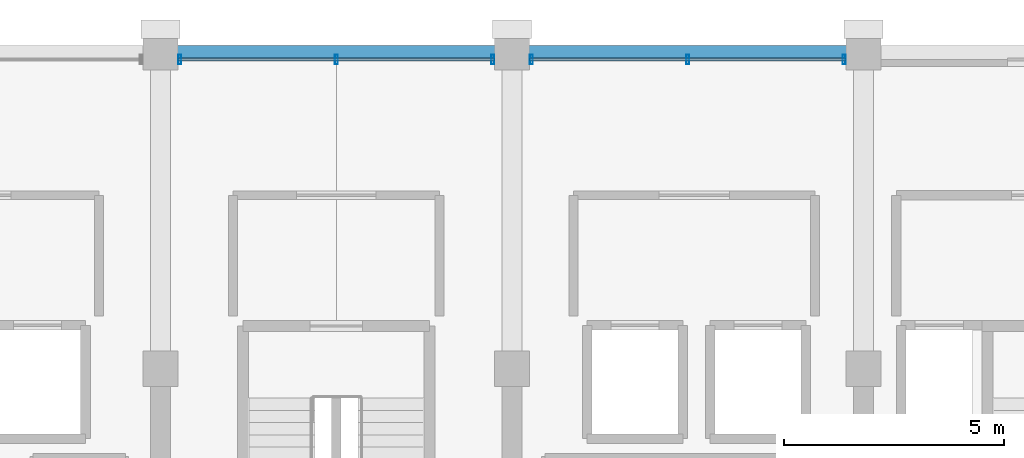
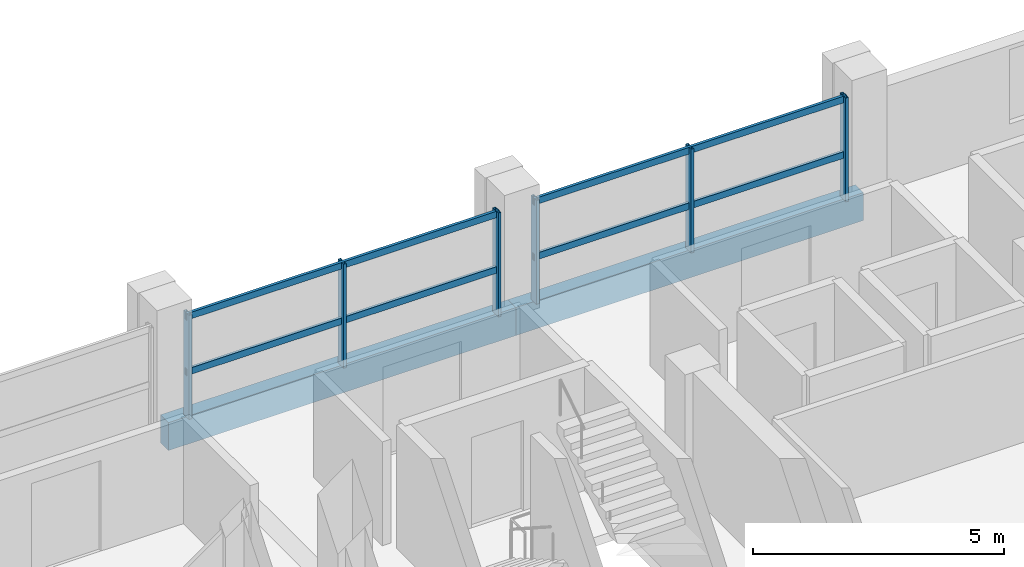
# One storey, part 12 of 21: 10 members, 2 beams, 2 elements without a shape of their own.
"""IFC4 building model written with IfcOpenShell, lengths in metres."""

import ifcopenshell
import ifcopenshell.guid

model = None  # the IFC model being written
_history = None  # IfcOwnerHistory: only IFC2X3 demands one
_inside = {}  # id of a spatial element -> (the spatial element, [elements in it])
_under = {}  # id of a project, library or spatial element -> (it, [spatial elements below it])
_declared = {}  # id of a project -> (the project, [libraries it declares])
_typed = {}  # id of a type object -> (the type object, [elements of that type])
_made_of = {}  # id of a material, layer set ... -> (it, [elements and type objects made of it])


def new_model(schema):
    """Start an empty IFC model of exactly this schema.

    Asked for "IFC4X3", IfcOpenShell would pick the latest addendum, in which some entities
    have other attributes; the version numbers below select the first issue.
    IFC2X3 requires an IfcOwnerHistory on every rooted entity: one is made here for all.
    """
    global model, _history
    if schema == "IFC4X3":
        model = ifcopenshell.file(schema_version=(4, 3, 0, 0))
    else:
        model = ifcopenshell.file(schema=schema)
    _inside.clear()
    _under.clear()
    _declared.clear()
    _typed.clear()
    _made_of.clear()
    _history = None
    if model.schema == "IFC2X3":
        org = make("IfcOrganization", Name="unknown")
        user = make(
            "IfcPersonAndOrganization",
            ThePerson=make("IfcPerson", FamilyName="unknown"),
            TheOrganization=org,
        )
        app = make(
            "IfcApplication",
            ApplicationDeveloper=org,
            Version="unknown",
            ApplicationFullName="unknown",
            ApplicationIdentifier="unknown",
        )
        _history = make(
            "IfcOwnerHistory",
            OwningUser=user,
            OwningApplication=app,
            ChangeAction="ADDED",
            CreationDate=0,
        )
    return model


def make(cls, **values):
    """One entity of the class cls with the attributes given. An attribute that is None is left unset."""
    return model.create_entity(
        cls, **{name: value for name, value in values.items() if value is not None}
    )


def rooted(cls, **values):
    """An entity with a GlobalId (a new one), such as an element, a storey or a relation."""
    return make(cls, GlobalId=ifcopenshell.guid.new(), OwnerHistory=_history, **values)


def si_unit(unit_type, name, prefix=None):
    """IfcSIUnit, for example si_unit("LENGTHUNIT", "METRE", prefix="MILLI")."""
    return make("IfcSIUnit", UnitType=unit_type, Prefix=prefix, Name=name)


def assignment(units):
    """IfcUnitAssignment: the units of a project."""
    return None if units is None else make("IfcUnitAssignment", Units=units)


def point(xyz):
    """IfcCartesianPoint."""
    return None if xyz is None else make("IfcCartesianPoint", Coordinates=xyz)


def direction(xyz):
    """IfcDirection."""
    return None if xyz is None else make("IfcDirection", DirectionRatios=xyz)


def frame(location, z_axis=None, x_axis=None):
    """IfcAxis2Placement3D, a coordinate frame: its origin and axes. An axis left out is left unset."""
    return make(
        "IfcAxis2Placement3D",
        Location=point(location),
        Axis=direction(z_axis),
        RefDirection=direction(x_axis),
    )


def frame_2d(location, x_axis=None):
    """IfcAxis2Placement2D, a coordinate frame in the plane: its origin and x axis."""
    return make(
        "IfcAxis2Placement2D", Location=point(location), RefDirection=direction(x_axis)
    )


def origin():
    """The frame at (0, 0, 0) with its axes left unset."""
    return frame((0.0, 0.0, 0.0))


def origin_2d():
    """The frame at (0, 0) in the plane with its x axis left unset."""
    return frame_2d((0.0, 0.0))


def place(relative_to, where):
    """IfcLocalPlacement: puts the frame where relative to a parent placement (None: the world)."""
    return make(
        "IfcLocalPlacement", PlacementRelTo=relative_to, RelativePlacement=where
    )


def context(
    kind, dimensions, precision=None, world=None, true_north=None, identifier=None
):
    """IfcGeometricRepresentationContext, for example the 3D "Model" context."""
    return make(
        "IfcGeometricRepresentationContext",
        ContextIdentifier=identifier,
        ContextType=kind,
        CoordinateSpaceDimension=dimensions,
        Precision=precision,
        WorldCoordinateSystem=world,
        TrueNorth=true_north,
    )


def subcontext(parent, identifier, kind, view, scale=None):
    """IfcGeometricRepresentationSubContext, for example "Body" below "Model"."""
    return make(
        "IfcGeometricRepresentationSubContext",
        ContextIdentifier=identifier,
        ContextType=kind,
        ParentContext=parent,
        TargetScale=scale,
        TargetView=view,
    )


def project(units=None, contexts=None):
    """IfcProject with its units and contexts."""
    return rooted(
        "IfcProject",
        Name="project",
        RepresentationContexts=contexts,
        UnitsInContext=assignment(units),
    )


def spatial(cls, under=None, at=None, **own):
    """A site, building, storey or space (cls), placed at a placement, below another one or the project."""
    s = rooted(cls, ObjectPlacement=at, **own)
    if under is not None:
        _under.setdefault(under.id(), (under, []))[1].append(s)
    return s


def profile(cls, at=None, kind="AREA", **sizes):
    """A parametric profile (cls). Its sizes go by their IFC names, for example OverallWidth=200.0."""
    return make(cls, ProfileType=kind, Position=at, **sizes)


def rectangle(**sizes):
    """IfcRectangleProfileDef."""
    return profile("IfcRectangleProfileDef", **sizes)


def hollow_rectangle(**sizes):
    """IfcRectangleHollowProfileDef."""
    return profile("IfcRectangleHollowProfileDef", **sizes)


def extrude(swept, where, along, depth):
    """IfcExtrudedAreaSolid: the profile swept, set in the frame where, extruded along a direction by depth."""
    return make(
        "IfcExtrudedAreaSolid",
        SweptArea=swept,
        Position=where,
        ExtrudedDirection=direction(along),
        Depth=depth,
    )


def shape(context_of_items, identifier, shape_type, items):
    """IfcShapeRepresentation: the items that make up one representation, for example the "Body"."""
    return make(
        "IfcShapeRepresentation",
        ContextOfItems=context_of_items,
        RepresentationIdentifier=identifier,
        RepresentationType=shape_type,
        Items=items,
    )


def material(Name=None, Category=None):
    """IfcMaterial."""
    return make("IfcMaterial", Name=Name, Category=Category)


def material_profile(
    of_material, cross_section, Name=None, Category=None, Priority=None
):
    """IfcMaterialProfile: a cross section and its material."""
    return make(
        "IfcMaterialProfile",
        Name=Name,
        Material=of_material,
        Profile=cross_section,
        Priority=Priority,
        Category=Category,
    )


def profile_set(profiles, Name=None, composite=None):
    """IfcMaterialProfileSet."""
    return make(
        "IfcMaterialProfileSet",
        Name=Name,
        MaterialProfiles=profiles,
        CompositeProfile=composite,
    )


def made_of(thing, what):
    """Note that an element or type object is made of a material, layer set ...; save() writes the relation."""
    if what is not None:
        _made_of.setdefault(what.id(), (what, []))[1].append(thing)
    return thing


def type_object(cls, material=None, **own):
    """A type object (cls), such as IfcWallType, which elements share."""
    return made_of(rooted(cls, **own), material)


def element(
    cls,
    number,
    at=None,
    inside=None,
    cuts=None,
    type_object=None,
    material=None,
    context=None,
    identifier="Body",
    shape_type=None,
    held_by="IfcProductDefinitionShape",
    body=None,
    shapes=None,
    **own,
):
    """One element of the class cls, such as IfcWall. Its Tag is "e" and its number.

    at: its placement. inside: the storey or other place that contains it. cuts: it is an
    opening in that element (IfcRelVoidsElement). A single representation is given by context,
    identifier, shape_type and body (its items); several are given by shapes. held_by: the class
    of the entity that holds the representations. save() writes the other relations.
    """
    e = rooted(cls, Tag="e%d" % number, ObjectPlacement=at, **own)
    if body is not None:
        shapes = [shape(context, identifier, shape_type, body)]
    if shapes is not None:
        e.Representation = make(held_by, Representations=shapes)
    if inside is not None:
        _inside.setdefault(inside.id(), (inside, []))[1].append(e)
    if cuts is not None:
        rooted(
            "IfcRelVoidsElement", RelatingBuildingElement=cuts, RelatedOpeningElement=e
        )
    if type_object is not None:
        _typed.setdefault(type_object.id(), (type_object, []))[1].append(e)
    return made_of(e, material)


def aggregate(whole, parts):
    """IfcRelAggregates: a whole, such as a stair, and the parts it consists of."""
    return rooted("IfcRelAggregates", RelatingObject=whole, RelatedObjects=parts)


def save(model, path):
    """Write the relations noted so far, then the file.

    IfcRelAggregates (storeys below a building ...), IfcRelContainedInSpatialStructure (elements
    in a storey), IfcRelDefinesByType, IfcRelAssociatesMaterial and IfcRelDeclares: one each for
    every whole, place, type object, material and project.
    """
    for whole, parts in _under.values():
        aggregate(whole, parts)
    for where, things in _inside.values():
        rooted(
            "IfcRelContainedInSpatialStructure",
            RelatedElements=things,
            RelatingStructure=where,
        )
    for kind, things in _typed.values():
        rooted("IfcRelDefinesByType", RelatedObjects=things, RelatingType=kind)
    for what, things in _made_of.values():
        rooted("IfcRelAssociatesMaterial", RelatedObjects=things, RelatingMaterial=what)
    for by, libraries in _declared.values():
        rooted("IfcRelDeclares", RelatingContext=by, RelatedDefinitions=libraries)
    model.write(path)


model = new_model("IFC4")

# Units and contexts
model_context = context("Model", 3, precision=1e-05, world=origin(), true_north=direction((0.0, 1.0)))
body_context = subcontext(model_context, "Body", "Model", "MODEL_VIEW")
ifc_project = project(units=[si_unit("LENGTHUNIT", "METRE"), si_unit("AREAUNIT", "SQUARE_METRE"), si_unit("VOLUMEUNIT", "CUBIC_METRE"), si_unit("PLANEANGLEUNIT", "RADIAN"), si_unit("MASSUNIT", "GRAM", prefix="KILO")], contexts=[model_context])

# Site, building, storey
site_placement = place(None, origin())
site = spatial("IfcSite", under=ifc_project, at=site_placement, CompositionType="ELEMENT")
building_placement = place(site_placement, origin())
building = spatial("IfcBuilding", under=site, at=building_placement, Name="Akrevak Sports Hall", CompositionType="ELEMENT")
storey_placement = place(building_placement, frame((0.0, 0.0, 37.300048828125)))
storey = spatial("IfcBuildingStorey", under=building, at=storey_placement, Name="L08", CompositionType="ELEMENT", Elevation=37.300048828125)

# Curtain wall, members
ifc_material_1 = material(Name="Anodized Bronze Aluminium & Low-E Glass", Category="aluminium")
curtain_wall_type = type_object("IfcCurtainWallType", Name="ARC-CW-TWR-72x30", PredefinedType="NOTDEFINED", material=ifc_material_1)
curtain_wall_1_placement = place(storey_placement, origin())
curtain_wall_1 = element("IfcCurtainWall", 1, at=curtain_wall_1_placement, inside=storey, type_object=curtain_wall_type, Name="Curtain Wall CW-L08-N22", PredefinedType="NOTDEFINED")
ifc_material_2 = material(Name="Anodized Bronze Aluminium", Category="aluminium")
ifc_material_profile_1 = material_profile(ifc_material_2, hollow_rectangle(XDim=0.06494140625, YDim=0.219970703125, WallThickness=0.00439453125, at=origin_2d()), Name="CWM 65x220", Category="aluminium")
ifc_profile_set_1 = profile_set([ifc_material_profile_1], Name="Anodized Bronze Aluminium")
member_type_1 = type_object("IfcMemberType", Name="ARC-CWM-70x160", PredefinedType="MULLION", material=ifc_profile_set_1)
member_1_placement = place(storey_placement, frame((91.56005859375, 69.43994140625, 0.0), z_axis=(0.0, 0.0, 1.0), x_axis=(-1.0, 0.0, 0.0)))
member_1 = element("IfcMember", 2, at=member_1_placement, type_object=member_type_1, Name="Curtain Wall Mullion CW-L08-N22-M1", PredefinedType="MULLION", context=body_context, shape_type="SweptSolid", body=[
    extrude(hollow_rectangle(XDim=0.06494140625, YDim=0.219970703125, WallThickness=0.00439453125, at=origin_2d()), origin(), (0.0, 0.0, 1.0), 2.530029296875),
])
member_2_placement = place(storey_placement, frame((88.0, 69.43994140625, 0.0), z_axis=(0.0, 0.0, 1.0), x_axis=(-1.0, 0.0, 0.0)))
member_2 = element("IfcMember", 3, at=member_2_placement, type_object=member_type_1, Name="Curtain Wall Mullion CW-L08-N22-M2", PredefinedType="MULLION", context=body_context, shape_type="SweptSolid", body=[
    extrude(hollow_rectangle(XDim=0.06494140625, YDim=0.219970703125, WallThickness=0.00439453125, at=origin_2d()), origin(), (0.0, 0.0, 1.0), 2.530029296875),
])
member_3_placement = place(storey_placement, frame((84.43994140625, 69.43994140625, 0.0), z_axis=(0.0, 0.0, 1.0), x_axis=(-1.0, 0.0, 0.0)))
member_3 = element("IfcMember", 4, at=member_3_placement, type_object=member_type_1, Name="Curtain Wall Mullion CW-L08-N22-M3", PredefinedType="MULLION", context=body_context, shape_type="SweptSolid", body=[
    extrude(hollow_rectangle(XDim=0.06494140625, YDim=0.219970703125, WallThickness=0.00439453125, at=origin_2d()), origin(), (0.0, 0.0, 1.0), 2.530029296875),
])

curtain_wall_2_placement = place(storey_placement, origin())
curtain_wall_2 = element("IfcCurtainWall", 5, at=curtain_wall_2_placement, inside=storey, type_object=curtain_wall_type, Name="Curtain Wall CW-L08-N23", PredefinedType="NOTDEFINED")
member_4_placement = place(storey_placement, frame((83.56005859375, 69.43994140625, 0.0), z_axis=(0.0, 0.0, 1.0), x_axis=(-1.0, 0.0, 0.0)))
member_4 = element("IfcMember", 6, at=member_4_placement, type_object=member_type_1, Name="Curtain Wall Mullion CW-L08-N23-M1", PredefinedType="MULLION", context=body_context, shape_type="SweptSolid", body=[
    extrude(hollow_rectangle(XDim=0.06494140625, YDim=0.219970703125, WallThickness=0.00439453125, at=origin_2d()), origin(), (0.0, 0.0, 1.0), 2.530029296875),
])
member_5_placement = place(storey_placement, frame((80.0, 69.43994140625, 0.0), z_axis=(0.0, 0.0, 1.0), x_axis=(-1.0, 0.0, 0.0)))
member_5 = element("IfcMember", 7, at=member_5_placement, type_object=member_type_1, Name="Curtain Wall Mullion CW-L08-N23-M2", PredefinedType="MULLION", context=body_context, shape_type="SweptSolid", body=[
    extrude(hollow_rectangle(XDim=0.06494140625, YDim=0.219970703125, WallThickness=0.00439453125, at=origin_2d()), origin(), (0.0, 0.0, 1.0), 2.530029296875),
])
member_6_placement = place(storey_placement, frame((76.43994140625, 69.43994140625, 0.0), z_axis=(0.0, 0.0, 1.0), x_axis=(-1.0, 0.0, 0.0)))
member_6 = element("IfcMember", 8, at=member_6_placement, type_object=member_type_1, Name="Curtain Wall Mullion CW-L08-N23-M3", PredefinedType="MULLION", context=body_context, shape_type="SweptSolid", body=[
    extrude(hollow_rectangle(XDim=0.06494140625, YDim=0.219970703125, WallThickness=0.00439453125, at=origin_2d()), origin(), (0.0, 0.0, 1.0), 2.530029296875),
])

# Member
ifc_material_profile_2 = material_profile(ifc_material_2, hollow_rectangle(XDim=0.06494140625, YDim=0.159912109375, WallThickness=0.00390625, at=origin_2d()), Name="CWT 65x160", Category="aluminium")
ifc_profile_set_2 = profile_set([ifc_material_profile_2], Name="Anodized Bronze Aluminium")
member_type_2 = type_object("IfcMemberType", Name="ARC-CWT-70x130", PredefinedType="USERDEFINED", material=ifc_profile_set_2)
member_7_placement = place(storey_placement, frame((91.60009765625, 69.43994140625, 1.099853515625), z_axis=(-1.0, 0.0, 0.0), x_axis=(0.0, -1.0, 0.0)))
member_7 = element("IfcMember", 9, at=member_7_placement, type_object=member_type_2, Name="Curtain Wall Transom CW-L08-N22-T1", ObjectType="TRANSOM", PredefinedType="USERDEFINED", context=body_context, shape_type="SweptSolid", body=[
    extrude(hollow_rectangle(XDim=0.06494140625, YDim=0.159912109375, WallThickness=0.00390625, at=origin_2d()), origin(), (0.0, 0.0, 1.0), 7.2001953125),
])

member_8_placement = place(storey_placement, frame((91.60009765625, 69.43994140625, 2.449951171875), z_axis=(-1.0, 0.0, 0.0), x_axis=(0.0, -1.0, 0.0)))
member_8 = element("IfcMember", 10, at=member_8_placement, type_object=member_type_2, Name="Curtain Wall Transom CW-L08-N22-T2", ObjectType="TRANSOM", PredefinedType="USERDEFINED", context=body_context, shape_type="SweptSolid", body=[
    extrude(hollow_rectangle(XDim=0.06494140625, YDim=0.159912109375, WallThickness=0.00390625, at=origin_2d()), origin(), (0.0, 0.0, 1.0), 7.2001953125),
])

aggregate(curtain_wall_1, [member_1, member_2, member_3, member_7, member_8])

member_9_placement = place(storey_placement, frame((83.60009765625, 69.43994140625, 1.099853515625), z_axis=(-1.0, 0.0, 0.0), x_axis=(0.0, -1.0, 0.0)))
member_9 = element("IfcMember", 11, at=member_9_placement, type_object=member_type_2, Name="Curtain Wall Transom CW-L08-N23-T1", ObjectType="TRANSOM", PredefinedType="USERDEFINED", context=body_context, shape_type="SweptSolid", body=[
    extrude(hollow_rectangle(XDim=0.06494140625, YDim=0.159912109375, WallThickness=0.00390625, at=origin_2d()), origin(), (0.0, 0.0, 1.0), 7.2001953125),
])

member_10_placement = place(storey_placement, frame((83.60009765625, 69.43994140625, 2.449951171875), z_axis=(-1.0, 0.0, 0.0), x_axis=(0.0, -1.0, 0.0)))
member_10 = element("IfcMember", 12, at=member_10_placement, type_object=member_type_2, Name="Curtain Wall Transom CW-L08-N23-T2", ObjectType="TRANSOM", PredefinedType="USERDEFINED", context=body_context, shape_type="SweptSolid", body=[
    extrude(hollow_rectangle(XDim=0.06494140625, YDim=0.159912109375, WallThickness=0.00390625, at=origin_2d()), origin(), (0.0, 0.0, 1.0), 7.2001953125),
])

aggregate(curtain_wall_2, [member_4, member_5, member_6, member_9, member_10])

# Beams
ifc_material_3 = material(Name="Concrete C40/50", Category="concrete")
ifc_material_profile_3 = material_profile(ifc_material_3, rectangle(XDim=0.320068359375, YDim=0.679931640625, at=origin_2d()), Name="SPD 320x680", Category="concrete")
ifc_profile_set_3 = profile_set([ifc_material_profile_3], Name="Concrete C40/50")
beam_type = type_object("IfcBeamType", Name="STR-SPD-RC320x680", PredefinedType="SPANDREL", material=ifc_profile_set_3)
for number, where, z_axis, x_axis, name in (
    (13, (76.0, 69.60009765625, -0.340087890625), (1.0, 0.0, 0.0), (0.0, 1.0, 0.0), "Girder K/11-12 (L08)"),
    (14, (84.0, 69.60009765625, -0.340087890625), (1.0, 0.0, 0.0), (0.0, 1.0, 0.0), "Girder K/12-13 (L08)"),
):
    element("IfcBeam", number, at=place(storey_placement, frame(where, z_axis=z_axis, x_axis=x_axis)), inside=storey, type_object=beam_type, Name=name, PredefinedType="SPANDREL", context=body_context, shape_type="SweptSolid", body=[
        extrude(rectangle(XDim=0.320068359375, YDim=0.679931640625, at=origin_2d()), origin(), (0.0, 0.0, 1.0), 8.0),
    ])

save(model, "model.ifc")
